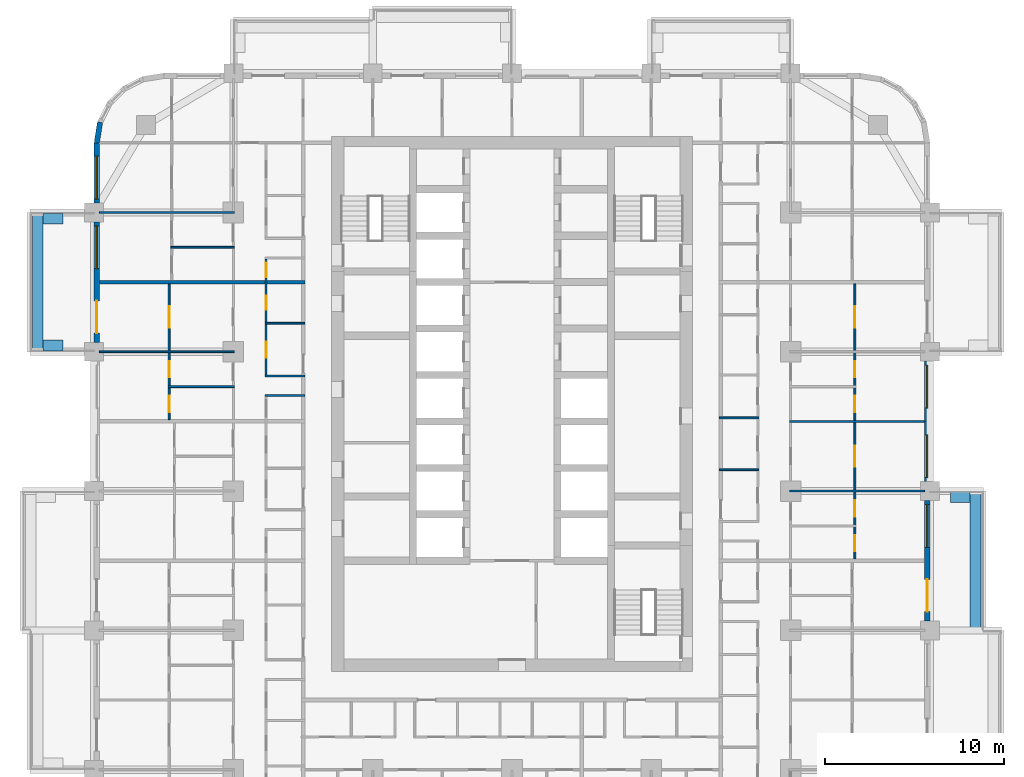
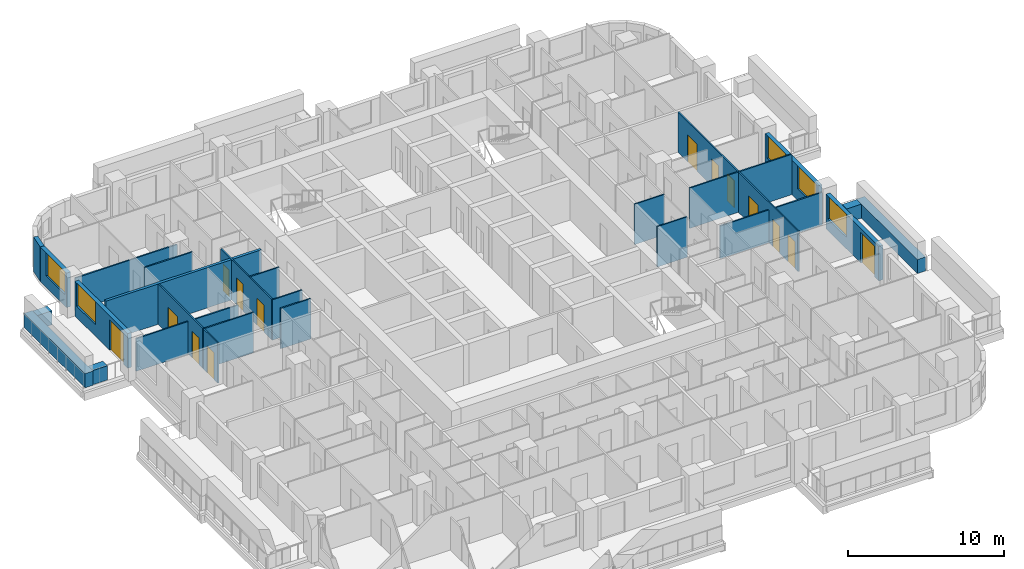
# One storey, part 9 of 17: 25 walls, 14 doors, 5 windows, 19 openings.
"""IFC4 building model written with IfcOpenShell, lengths in metres."""

from ifc_helpers import new_model, si_unit, direction, frame, frame_2d, origin, place, context, subcontext, project, spatial, rectangle, extrude, material, layer, layer_set, type_object, element, fill, save


model = new_model("IFC4")

# Units and contexts
model_context = context("Model", 3, precision=1e-05, world=origin(), true_north=direction((0.0, 1.0)))
body_context = subcontext(model_context, "Body", "Model", "MODEL_VIEW")
ifc_project = project(units=[si_unit("LENGTHUNIT", "METRE"), si_unit("AREAUNIT", "SQUARE_METRE"), si_unit("VOLUMEUNIT", "CUBIC_METRE"), si_unit("PLANEANGLEUNIT", "RADIAN"), si_unit("MASSUNIT", "GRAM", prefix="KILO")], contexts=[model_context])

# Site, building, storey
site_placement = place(None, origin())
site = spatial("IfcSite", under=ifc_project, at=site_placement, CompositionType="ELEMENT")
building_placement = place(site_placement, origin())
building = spatial("IfcBuilding", under=site, at=building_placement, Name="Ludao Terraces", CompositionType="ELEMENT")
storey_placement = place(building_placement, frame((0.0, 0.0, 22.89990234375)))
storey = spatial("IfcBuildingStorey", under=building, at=storey_placement, Name="L05", CompositionType="ELEMENT", Elevation=22.89990234375)

# Walls
ifc_material_1 = material(Name="Concrete C40", Category="concrete")
ifc_layer_1 = layer(ifc_material_1, 0.60009765625)
ifc_layer_set_1 = layer_set([ifc_layer_1], Name="ENV Planter trough 600")
wall_type_1 = type_object("IfcWallType", Name="ENV Planter trough 600", PredefinedType="USERDEFINED", material=ifc_layer_set_1)
wall_1_placement = place(storey_placement, frame((110.949951171875, 57.199951171875, 0.0), z_axis=(0.0, 0.0, 1.0), x_axis=(0.0, 1.0, 0.0)))
element("IfcWall", 1, at=wall_1_placement, inside=storey, type_object=wall_type_1, Name="PL-L05-E2", ObjectType="PLANTER", PredefinedType="USERDEFINED", context=body_context, shape_type="SweptSolid", body=[
    extrude(rectangle(XDim=7.800048828125, YDim=0.60009765625, at=frame_2d((3.89990234375, 0.0))), origin(), (0.0, 0.0, 1.0), 1.10009765625),
])
wall_2_placement = place(storey_placement, frame((110.64990234375, 64.64990234375, 0.0), z_axis=(0.0, 0.0, 1.0), x_axis=(-1.0, 0.0, 0.0)))
element("IfcWall", 2, at=wall_2_placement, inside=storey, type_object=wall_type_1, Name="PL-L05-E2-SB", ObjectType="PLANTER", PredefinedType="USERDEFINED", context=body_context, shape_type="SweptSolid", body=[
    extrude(rectangle(XDim=1.099853515625, YDim=0.60009765625, at=frame_2d((0.5498046875, 0.0))), origin(), (0.0, 0.0, 1.0), 1.10009765625),
])
wall_3_placement = place(storey_placement, frame((58.449951171875, 72.800048828125, 0.0), z_axis=(0.0, 0.0, 1.0), x_axis=(0.0, 1.0, 0.0)))
element("IfcWall", 3, at=wall_3_placement, inside=storey, type_object=wall_type_1, Name="PL-L05-W4", ObjectType="PLANTER", PredefinedType="USERDEFINED", context=body_context, shape_type="SweptSolid", body=[
    extrude(rectangle(XDim=7.800048828125, YDim=0.60009765625, at=frame_2d((3.89990234375, 0.0))), origin(), (0.0, 0.0, 1.0), 1.10009765625),
])
for number, where, z_axis, x_axis, name in (
    (4, (58.75, 73.14990234375, 0.0), (0.0, 0.0, 1.0), (1.0, 0.0, 0.0), "PL-L05-W4-SA"),
    (5, (58.75, 80.25, 0.0), (0.0, 0.0, 1.0), (1.0, 0.0, 0.0), "PL-L05-W4-SB"),
):
    element("IfcWall", number, at=place(storey_placement, frame(where, z_axis=z_axis, x_axis=x_axis)), inside=storey, type_object=wall_type_1, Name=name, ObjectType="PLANTER", PredefinedType="USERDEFINED", context=body_context, shape_type="SweptSolid", body=[
        extrude(rectangle(XDim=1.10009765625, YDim=0.60009765625, at=frame_2d((0.550048828125, 0.0))), origin(), (0.0, 0.0, 1.0), 1.10009765625),
    ])

# Wall, openings, door, window
ifc_material_2 = material(Name="Granite cladding", Category="masonry")
ifc_layer_2 = layer(ifc_material_2, 0.0400390625, Category="stone")
ifc_material_3 = material(Name="Mineral wool")
ifc_layer_3 = layer(ifc_material_3, 0.06005859375)
ifc_layer_4 = layer(ifc_material_1, 0.199951171875, Category="concrete")
ifc_layer_set_2 = layer_set([ifc_layer_2, ifc_layer_3, ifc_layer_4], Name="ENV Stone-clad wall 300")
wall_type_2 = type_object("IfcWallType", Name="ENV Stone-clad wall 300", PredefinedType="SOLIDWALL", material=ifc_layer_set_2)
wall_4_placement = place(storey_placement, frame((108.25, 57.72509765625, 0.0), z_axis=(0.0, 0.0, 1.0), x_axis=(0.0, 1.0, 0.0)))
wall_4 = element("IfcWall", 6, at=wall_4_placement, inside=storey, type_object=wall_type_2, Name="EW-L05-E3", PredefinedType="SOLIDWALL", context=body_context, shape_type="SweptSolid", body=[
    extrude(rectangle(XDim=6.75, YDim=0.300048828125, at=frame_2d((3.375, 0.0))), origin(), (0.0, 0.0, 1.0), 2.7001953125),
])
opening_1_placement = place(wall_4_placement, frame((0.52490234375, 0.0, 0.0)))
opening_1 = element("IfcOpeningElement", 7, at=opening_1_placement, cuts=wall_4, Name="Opening BD", PredefinedType="OPENING", context=body_context, shape_type="SweptSolid", body=[
    extrude(rectangle(XDim=1.800048828125, YDim=2.39990234375, at=frame_2d((0.89990234375, 1.199951171875))), frame((0.0, 0.16015625, 0.0), z_axis=(0.0, -1.0, 0.0), x_axis=(1.0, 0.0, 0.0)), (0.0, 0.0, 1.0), 0.320068359375),
])
opening_2_placement = place(wall_4_placement, frame((4.125, 0.0, 0.89990234375)))
opening_2 = element("IfcOpeningElement", 8, at=opening_2_placement, cuts=wall_4, Name="Opening W1", PredefinedType="OPENING", context=body_context, shape_type="SweptSolid", body=[
    extrude(rectangle(XDim=2.39990234375, YDim=1.800048828125, at=frame_2d((1.199951171875, 0.89990234375))), frame((0.0, 0.16015625, 0.0), z_axis=(0.0, -1.0, 0.0), x_axis=(1.0, 0.0, 0.0)), (0.0, 0.0, 1.0), 0.320068359375),
])
ifc_material_4 = material(Name="Aluminium glazed door", Category="aluminium")
ifc_layer_5 = layer(ifc_material_4, 0.06005859375)
ifc_layer_set_3 = layer_set([ifc_layer_5], Name="ENV Balcony door BD 1800x2400")
door_type_1 = type_object("IfcDoorType", Name="ENV Balcony door BD 1800x2400", OperationType="DOUBLE_DOOR_SINGLE_SWING", PredefinedType="DOOR", material=ifc_layer_set_3)
door_1_placement = place(opening_1_placement, origin())
door_1 = element("IfcDoor", 9, at=door_1_placement, inside=storey, type_object=door_type_1, Name="BD-L05-E3-1", OperationType="DOUBLE_DOOR_SINGLE_SWING", OverallHeight=2.39990234375, OverallWidth=1.800048828125, PredefinedType="DOOR", context=body_context, shape_type="SweptSolid", body=[
    extrude(rectangle(XDim=1.800048828125, YDim=2.39990234375, at=frame_2d((0.89990234375, 1.199951171875))), frame((0.0, 0.02490234375, 0.0), z_axis=(0.0, -1.0, 0.0), x_axis=(1.0, 0.0, 0.0)), (0.0, 0.0, 1.0), 0.050048828125),
])
fill(opening_1, door_1)
ifc_material_5 = material(Name="Clear glass in aluminium frame", Category="aluminium")
ifc_layer_6 = layer(ifc_material_5, 0.06005859375)
ifc_layer_set_4 = layer_set([ifc_layer_6], Name="ENV Window W1 2400x1800")
window_type = type_object("IfcWindowType", Name="ENV Window W1 2400x1800", PartitioningType="DOUBLE_PANEL_VERTICAL", PredefinedType="WINDOW", material=ifc_layer_set_4)
window_1_placement = place(opening_2_placement, origin())
window_1 = element("IfcWindow", 10, at=window_1_placement, inside=storey, type_object=window_type, Name="W-L05-E3-2", OverallHeight=1.800048828125, OverallWidth=2.39990234375, PartitioningType="DOUBLE_PANEL_VERTICAL", PredefinedType="WINDOW", context=body_context, shape_type="SweptSolid", body=[
    extrude(rectangle(XDim=2.39990234375, YDim=1.800048828125, at=frame_2d((1.199951171875, 0.89990234375))), frame((0.0, 0.030029296875, 0.0), z_axis=(0.0, -1.0, 0.0), x_axis=(1.0, 0.0, 0.0)), (0.0, 0.0, 1.0), 0.06005859375),
])
fill(opening_2, window_1)

# Wall, openings, windows
wall_5_placement = place(storey_placement, frame((108.25, 65.52490234375, 0.0), z_axis=(0.0, 0.0, 1.0), x_axis=(0.0, 1.0, 0.0)))
wall_5 = element("IfcWall", 11, at=wall_5_placement, inside=storey, type_object=wall_type_2, Name="EW-L05-E4", PredefinedType="SOLIDWALL", context=body_context, shape_type="SweptSolid", body=[
    extrude(rectangle(XDim=6.75, YDim=0.300048828125, at=frame_2d((3.375, 0.0))), origin(), (0.0, 0.0, 1.0), 2.7001953125),
])
opening_3_placement = place(wall_5_placement, frame((0.22509765625, 0.0, 0.89990234375)))
opening_3 = element("IfcOpeningElement", 12, at=opening_3_placement, cuts=wall_5, Name="Opening W1", PredefinedType="OPENING", context=body_context, shape_type="SweptSolid", body=[
    extrude(rectangle(XDim=2.39990234375, YDim=1.800048828125, at=frame_2d((1.199951171875, 0.89990234375))), frame((0.0, 0.16015625, 0.0), z_axis=(0.0, -1.0, 0.0), x_axis=(1.0, 0.0, 0.0)), (0.0, 0.0, 1.0), 0.320068359375),
])
opening_4_placement = place(wall_5_placement, frame((4.125, 0.0, 0.89990234375)))
opening_4 = element("IfcOpeningElement", 13, at=opening_4_placement, cuts=wall_5, Name="Opening W1", PredefinedType="OPENING", context=body_context, shape_type="SweptSolid", body=[
    extrude(rectangle(XDim=2.39990234375, YDim=1.800048828125, at=frame_2d((1.199951171875, 0.89990234375))), frame((0.0, 0.16015625, 0.0), z_axis=(0.0, -1.0, 0.0), x_axis=(1.0, 0.0, 0.0)), (0.0, 0.0, 1.0), 0.320068359375),
])
window_2_placement = place(opening_3_placement, origin())
window_2 = element("IfcWindow", 14, at=window_2_placement, inside=storey, type_object=window_type, Name="W-L05-E4-1", OverallHeight=1.800048828125, OverallWidth=2.39990234375, PartitioningType="DOUBLE_PANEL_VERTICAL", PredefinedType="WINDOW", context=body_context, shape_type="SweptSolid", body=[
    extrude(rectangle(XDim=2.39990234375, YDim=1.800048828125, at=frame_2d((1.199951171875, 0.89990234375))), frame((0.0, 0.030029296875, 0.0), z_axis=(0.0, -1.0, 0.0), x_axis=(1.0, 0.0, 0.0)), (0.0, 0.0, 1.0), 0.06005859375),
])
fill(opening_3, window_2)
window_3_placement = place(opening_4_placement, origin())
window_3 = element("IfcWindow", 15, at=window_3_placement, inside=storey, type_object=window_type, Name="W-L05-E4-2", OverallHeight=1.800048828125, OverallWidth=2.39990234375, PartitioningType="DOUBLE_PANEL_VERTICAL", PredefinedType="WINDOW", context=body_context, shape_type="SweptSolid", body=[
    extrude(rectangle(XDim=2.39990234375, YDim=1.800048828125, at=frame_2d((1.199951171875, 0.89990234375))), frame((0.0, 0.030029296875, 0.0), z_axis=(0.0, -1.0, 0.0), x_axis=(1.0, 0.0, 0.0)), (0.0, 0.0, 1.0), 0.06005859375),
])
fill(opening_4, window_3)

# Wall, openings, door, window
wall_6_placement = place(storey_placement, frame((61.75, 73.324951171875, 0.0), z_axis=(0.0, 0.0, 1.0), x_axis=(0.0, 1.0, 0.0)))
wall_6 = element("IfcWall", 16, at=wall_6_placement, inside=storey, type_object=wall_type_2, Name="EW-L05-W5", PredefinedType="SOLIDWALL", context=body_context, shape_type="SweptSolid", body=[
    extrude(rectangle(XDim=6.75, YDim=0.300048828125, at=frame_2d((3.375, 0.0))), origin(), (0.0, 0.0, 1.0), 2.7001953125),
])
opening_5_placement = place(wall_6_placement, frame((0.52490234375, 0.0, 0.0)))
opening_5 = element("IfcOpeningElement", 17, at=opening_5_placement, cuts=wall_6, Name="Opening BD", PredefinedType="OPENING", context=body_context, shape_type="SweptSolid", body=[
    extrude(rectangle(XDim=1.800048828125, YDim=2.39990234375, at=frame_2d((0.89990234375, 1.199951171875))), frame((0.0, 0.16015625, 0.0), z_axis=(0.0, -1.0, 0.0), x_axis=(1.0, 0.0, 0.0)), (0.0, 0.0, 1.0), 0.320068359375),
])
opening_6_placement = place(wall_6_placement, frame((4.125, 0.0, 0.89990234375)))
opening_6 = element("IfcOpeningElement", 18, at=opening_6_placement, cuts=wall_6, Name="Opening W1", PredefinedType="OPENING", context=body_context, shape_type="SweptSolid", body=[
    extrude(rectangle(XDim=2.39990234375, YDim=1.800048828125, at=frame_2d((1.199951171875, 0.89990234375))), frame((0.0, 0.16015625, 0.0), z_axis=(0.0, -1.0, 0.0), x_axis=(1.0, 0.0, 0.0)), (0.0, 0.0, 1.0), 0.320068359375),
])
door_2_placement = place(opening_5_placement, origin())
door_2 = element("IfcDoor", 19, at=door_2_placement, inside=storey, type_object=door_type_1, Name="BD-L05-W5-1", OperationType="DOUBLE_DOOR_SINGLE_SWING", OverallHeight=2.39990234375, OverallWidth=1.800048828125, PredefinedType="DOOR", context=body_context, shape_type="SweptSolid", body=[
    extrude(rectangle(XDim=1.800048828125, YDim=2.39990234375, at=frame_2d((0.89990234375, 1.199951171875))), frame((0.0, 0.02490234375, 0.0), z_axis=(0.0, -1.0, 0.0), x_axis=(1.0, 0.0, 0.0)), (0.0, 0.0, 1.0), 0.050048828125),
])
fill(opening_5, door_2)
window_4_placement = place(opening_6_placement, origin())
window_4 = element("IfcWindow", 20, at=window_4_placement, inside=storey, type_object=window_type, Name="W-L05-W5-2", OverallHeight=1.800048828125, OverallWidth=2.39990234375, PartitioningType="DOUBLE_PANEL_VERTICAL", PredefinedType="WINDOW", context=body_context, shape_type="SweptSolid", body=[
    extrude(rectangle(XDim=2.39990234375, YDim=1.800048828125, at=frame_2d((1.199951171875, 0.89990234375))), frame((0.0, 0.030029296875, 0.0), z_axis=(0.0, -1.0, 0.0), x_axis=(1.0, 0.0, 0.0)), (0.0, 0.0, 1.0), 0.06005859375),
])
fill(opening_6, window_4)

# Wall, opening, window
wall_7_placement = place(storey_placement, frame((61.75, 81.125, 0.0), z_axis=(0.0, 0.0, 1.0), x_axis=(0.0, 1.0, 0.0)))
wall_7 = element("IfcWall", 21, at=wall_7_placement, inside=storey, type_object=wall_type_2, Name="EW-L05-W6", PredefinedType="SOLIDWALL", context=body_context, shape_type="SweptSolid", body=[
    extrude(rectangle(XDim=3.375, YDim=0.300048828125, at=frame_2d((1.6875, 0.0))), origin(), (0.0, 0.0, 1.0), 2.7001953125),
])
opening_7_placement = place(wall_7_placement, frame((0.22509765625, 0.0, 0.89990234375)))
opening_7 = element("IfcOpeningElement", 22, at=opening_7_placement, cuts=wall_7, Name="Opening W1", PredefinedType="OPENING", context=body_context, shape_type="SweptSolid", body=[
    extrude(rectangle(XDim=2.39990234375, YDim=1.800048828125, at=frame_2d((1.199951171875, 0.89990234375))), frame((0.0, 0.16015625, 0.0), z_axis=(0.0, -1.0, 0.0), x_axis=(1.0, 0.0, 0.0)), (0.0, 0.0, 1.0), 0.320068359375),
])
window_5_placement = place(opening_7_placement, origin())
window_5 = element("IfcWindow", 23, at=window_5_placement, inside=storey, type_object=window_type, Name="W-L05-W6-1", OverallHeight=1.800048828125, OverallWidth=2.39990234375, PartitioningType="DOUBLE_PANEL_VERTICAL", PredefinedType="WINDOW", context=body_context, shape_type="SweptSolid", body=[
    extrude(rectangle(XDim=2.39990234375, YDim=1.800048828125, at=frame_2d((1.199951171875, 0.89990234375))), frame((0.0, 0.030029296875, 0.0), z_axis=(0.0, -1.0, 0.0), x_axis=(1.0, 0.0, 0.0)), (0.0, 0.0, 1.0), 0.06005859375),
])
fill(opening_7, window_5)

# Walls
wall_8_placement = place(storey_placement, frame((61.93359375, 85.65869140625, 0.0), z_axis=(0.0, 0.0, 1.0), x_axis=(-0.156496880861, -0.987678452879, 0.0)))
element("IfcWall", 24, at=wall_8_placement, inside=storey, type_object=wall_type_2, Name="EW-L05-NW5", PredefinedType="SOLIDWALL", context=body_context, shape_type="SweptSolid", body=[
    extrude(rectangle(XDim=1.173095703125, YDim=0.300048828125, at=frame_2d((0.58642578125, 0.0))), origin(), (0.0, 0.0, 1.0), 2.7001953125),
])
ifc_material_6 = material(Name="Gypsum plasterboard", Category="gypsum")
ifc_layer_7 = layer(ifc_material_6, 0.012451171875, Category="gypsum")
ifc_layer_8 = layer(ifc_material_3, 0.06005859375, Name="insulation")
ifc_material_7 = material(Name="Steel Q235", Category="steel")
ifc_layer_9 = layer(ifc_material_7, 0.014892578125, Name="stud")
ifc_layer_10 = layer(ifc_material_6, 0.012451171875, Category="gypsum")
ifc_layer_set_5 = layer_set([ifc_layer_7, ifc_layer_8, ifc_layer_9, ifc_layer_10], Name="INT Partition 100")
wall_type_3 = type_object("IfcWallType", Name="INT Partition 100", PredefinedType="PARTITIONING", material=ifc_layer_set_5)
wall_9_placement = place(storey_placement, frame((100.550048828125, 65.0, 0.0), z_axis=(0.0, 0.0, 1.0), x_axis=(1.0, 0.0, 0.0)))
element("IfcWall", 25, at=wall_9_placement, inside=storey, type_object=wall_type_3, Name="PW-L05-PW040", PredefinedType="PARTITIONING", context=body_context, shape_type="SweptSolid", body=[
    extrude(rectangle(XDim=7.550048828125, YDim=0.10009765625, at=frame_2d((3.77490234375, 0.0))), origin(), (0.0, 0.0, 1.0), 2.550048828125),
])
wall_10_placement = place(storey_placement, frame((96.60009765625, 66.199951171875, 0.0), z_axis=(0.0, 0.0, 1.0), x_axis=(1.0, 0.0, 0.0)))
element("IfcWall", 26, at=wall_10_placement, inside=storey, type_object=wall_type_3, Name="PW-L05-PW041", PredefinedType="PARTITIONING", context=body_context, shape_type="SweptSolid", body=[
    extrude(rectangle(XDim=2.219970703125, YDim=0.10009765625, at=frame_2d((1.10986328125, 0.0))), origin(), (0.0, 0.0, 1.0), 3.150146484375),
])
wall_11_placement = place(storey_placement, frame((100.550048828125, 68.89990234375, 0.0), z_axis=(0.0, 0.0, 1.0), x_axis=(1.0, 0.0, 0.0)))
element("IfcWall", 27, at=wall_11_placement, inside=storey, type_object=wall_type_3, Name="PW-L05-PW046", PredefinedType="PARTITIONING", context=body_context, shape_type="SweptSolid", body=[
    extrude(rectangle(XDim=7.550048828125, YDim=0.10009765625, at=frame_2d((3.77490234375, 0.0))), origin(), (0.0, 0.0, 1.0), 3.150146484375),
])
for number, where, z_axis, x_axis, name in (
    (28, (96.60009765625, 69.10009765625, 0.0), (0.0, 0.0, 1.0), (1.0, 0.0, 0.0), "PW-L05-PW047"),
    (29, (71.18017578125, 70.35009765625, 0.0), (0.0, 0.0, 1.0), (1.0, 0.0, 0.0), "PW-L05-PW048"),
):
    element("IfcWall", number, at=place(storey_placement, frame(where, z_axis=z_axis, x_axis=x_axis)), inside=storey, type_object=wall_type_3, Name=name, PredefinedType="PARTITIONING", context=body_context, shape_type="SweptSolid", body=[
        extrude(rectangle(XDim=2.219970703125, YDim=0.10009765625, at=frame_2d((1.10986328125, 0.0))), origin(), (0.0, 0.0, 1.0), 3.150146484375),
    ])
wall_12_placement = place(storey_placement, frame((65.75, 70.85009765625, 0.0), z_axis=(0.0, 0.0, 1.0), x_axis=(1.0, 0.0, 0.0)))
element("IfcWall", 30, at=wall_12_placement, inside=storey, type_object=wall_type_3, Name="PW-L05-PW049", PredefinedType="PARTITIONING", context=body_context, shape_type="SweptSolid", body=[
    extrude(rectangle(XDim=3.7001953125, YDim=0.10009765625, at=frame_2d((1.85009765625, 0.0))), origin(), (0.0, 0.0, 1.0), 3.150146484375),
])
wall_13_placement = place(storey_placement, frame((71.18017578125, 71.449951171875, 0.0), z_axis=(0.0, 0.0, 1.0), x_axis=(1.0, 0.0, 0.0)))
element("IfcWall", 31, at=wall_13_placement, inside=storey, type_object=wall_type_3, Name="PW-L05-PW051", PredefinedType="PARTITIONING", context=body_context, shape_type="SweptSolid", body=[
    extrude(rectangle(XDim=2.219970703125, YDim=0.10009765625, at=frame_2d((1.10986328125, 0.0))), origin(), (0.0, 0.0, 1.0), 3.150146484375),
])
wall_14_placement = place(storey_placement, frame((61.900146484375, 72.800048828125, 0.0), z_axis=(0.0, 0.0, 1.0), x_axis=(1.0, 0.0, 0.0)))
element("IfcWall", 32, at=wall_14_placement, inside=storey, type_object=wall_type_3, Name="PW-L05-PW053", PredefinedType="PARTITIONING", context=body_context, shape_type="SweptSolid", body=[
    extrude(rectangle(XDim=7.550048828125, YDim=0.10009765625, at=frame_2d((3.77490234375, 0.0))), origin(), (0.0, 0.0, 1.0), 2.550048828125),
])
wall_15_placement = place(storey_placement, frame((71.18017578125, 74.39990234375, 0.0), z_axis=(0.0, 0.0, 1.0), x_axis=(1.0, 0.0, 0.0)))
element("IfcWall", 33, at=wall_15_placement, inside=storey, type_object=wall_type_3, Name="PW-L05-PW055", PredefinedType="PARTITIONING", context=body_context, shape_type="SweptSolid", body=[
    extrude(rectangle(XDim=2.219970703125, YDim=0.10009765625, at=frame_2d((1.10986328125, 0.0))), origin(), (0.0, 0.0, 1.0), 3.150146484375),
])
wall_16_placement = place(storey_placement, frame((65.900146484375, 78.64990234375, 0.0), z_axis=(0.0, 0.0, 1.0), x_axis=(1.0, 0.0, 0.0)))
element("IfcWall", 34, at=wall_16_placement, inside=storey, type_object=wall_type_3, Name="PW-L05-PW061", PredefinedType="PARTITIONING", context=body_context, shape_type="SweptSolid", body=[
    extrude(rectangle(XDim=3.550048828125, YDim=0.10009765625, at=frame_2d((1.77490234375, 0.0))), origin(), (0.0, 0.0, 1.0), 3.150146484375),
])
wall_17_placement = place(storey_placement, frame((61.900146484375, 80.60009765625, 0.0), z_axis=(0.0, 0.0, 1.0), x_axis=(1.0, 0.0, 0.0)))
element("IfcWall", 35, at=wall_17_placement, inside=storey, type_object=wall_type_3, Name="PW-L05-PW064", PredefinedType="PARTITIONING", context=body_context, shape_type="SweptSolid", body=[
    extrude(rectangle(XDim=7.550048828125, YDim=0.10009765625, at=frame_2d((3.77490234375, 0.0))), origin(), (0.0, 0.0, 1.0), 2.550048828125),
])

# Wall, openings, doors
wall_18_placement = place(storey_placement, frame((65.800048828125, 69.0, 0.0), z_axis=(0.0, 0.0, 1.0), x_axis=(0.0, 1.0, 0.0)))
wall_18 = element("IfcWall", 36, at=wall_18_placement, inside=storey, type_object=wall_type_3, Name="PW-L05-PW074", PredefinedType="PARTITIONING", context=body_context, shape_type="SweptSolid", body=[
    extrude(rectangle(XDim=7.60009765625, YDim=0.10009765625, at=frame_2d((3.800048828125, 0.0))), origin(), (0.0, 0.0, 1.0), 3.150146484375),
])
opening_8_placement = place(wall_18_placement, frame((0.425048828125, 0.0, 0.0)))
opening_8 = element("IfcOpeningElement", 37, at=opening_8_placement, cuts=wall_18, Name="Opening R01-097", PredefinedType="OPENING", context=body_context, shape_type="SweptSolid", body=[
    extrude(rectangle(XDim=0.89990234375, YDim=2.10009765625, at=frame_2d((0.449951171875, 1.050048828125))), frame((0.0, 0.06005859375, 0.0), z_axis=(0.0, -1.0, 0.0), x_axis=(1.0, 0.0, 0.0)), (0.0, 0.0, 1.0), 0.1201171875),
])
opening_9_placement = place(wall_18_placement, frame((2.375, 0.0, 0.0)))
opening_9 = element("IfcOpeningElement", 38, at=opening_9_placement, cuts=wall_18, Name="Opening R01-104", PredefinedType="OPENING", context=body_context, shape_type="SweptSolid", body=[
    extrude(rectangle(XDim=0.89990234375, YDim=2.10009765625, at=frame_2d((0.449951171875, 1.050048828125))), frame((0.0, 0.06005859375, 0.0), z_axis=(0.0, -1.0, 0.0), x_axis=(1.0, 0.0, 0.0)), (0.0, 0.0, 1.0), 0.1201171875),
])
opening_10_placement = place(wall_18_placement, frame((5.150146484375, 0.0, 0.0)))
opening_10 = element("IfcOpeningElement", 39, at=opening_10_placement, cuts=wall_18, Name="Opening R01-111", PredefinedType="OPENING", context=body_context, shape_type="SweptSolid", body=[
    extrude(rectangle(XDim=1.199951171875, YDim=2.10009765625, at=frame_2d((0.60009765625, 1.050048828125))), frame((0.0, 0.06005859375, 0.0), z_axis=(0.0, -1.0, 0.0), x_axis=(1.0, 0.0, 0.0)), (0.0, 0.0, 1.0), 0.1201171875),
])
ifc_material_8 = material(Name="Timber door leaf", Category="wood")
door_type_2 = type_object("IfcDoorType", Name="INT Bathroom door 900", OperationType="SINGLE_SWING_LEFT", PredefinedType="DOOR", material=ifc_material_8)
door_3_placement = place(opening_8_placement, origin())
door_3 = element("IfcDoor", 40, at=door_3_placement, inside=storey, type_object=door_type_2, Name="DOOR 097", OperationType="SINGLE_SWING_RIGHT", OverallHeight=2.10009765625, OverallWidth=0.89990234375, PredefinedType="DOOR", context=body_context, shape_type="SweptSolid", body=[
    extrude(rectangle(XDim=0.89990234375, YDim=2.10009765625, at=frame_2d((0.449951171875, 1.050048828125))), frame((0.0, 0.02490234375, 0.0), z_axis=(0.0, -1.0, 0.0), x_axis=(1.0, 0.0, 0.0)), (0.0, 0.0, 1.0), 0.050048828125),
])
fill(opening_8, door_3)
door_type_3 = type_object("IfcDoorType", Name="INT Double door 1200", OperationType="DOUBLE_DOOR_SINGLE_SWING", PredefinedType="DOOR", material=ifc_material_8)
door_4_placement = place(opening_10_placement, origin())
door_4 = element("IfcDoor", 41, at=door_4_placement, inside=storey, type_object=door_type_3, Name="DOOR 111", OperationType="DOUBLE_DOOR_SINGLE_SWING", OverallHeight=2.10009765625, OverallWidth=1.199951171875, PredefinedType="DOOR", context=body_context, shape_type="SweptSolid", body=[
    extrude(rectangle(XDim=1.199951171875, YDim=2.10009765625, at=frame_2d((0.60009765625, 1.050048828125))), frame((0.0, 0.02490234375, 0.0), z_axis=(0.0, -1.0, 0.0), x_axis=(1.0, 0.0, 0.0)), (0.0, 0.0, 1.0), 0.050048828125),
])
fill(opening_10, door_4)
door_type_4 = type_object("IfcDoorType", Name="INT Room door 900", OperationType="SINGLE_SWING_LEFT", PredefinedType="DOOR", material=ifc_material_8)
door_5_placement = place(opening_9_placement, origin())
door_5 = element("IfcDoor", 42, at=door_5_placement, inside=storey, type_object=door_type_4, Name="DOOR 104", OperationType="SINGLE_SWING_LEFT", OverallHeight=2.10009765625, OverallWidth=0.89990234375, PredefinedType="DOOR", context=body_context, shape_type="SweptSolid", body=[
    extrude(rectangle(XDim=0.89990234375, YDim=2.10009765625, at=frame_2d((0.449951171875, 1.050048828125))), frame((0.0, 0.02490234375, 0.0), z_axis=(0.0, -1.0, 0.0), x_axis=(1.0, 0.0, 0.0)), (0.0, 0.0, 1.0), 0.050048828125),
])
fill(opening_9, door_5)

wall_19_placement = place(storey_placement, frame((71.22998046875, 71.5, 0.0), z_axis=(0.0, 0.0, 1.0), x_axis=(0.0, 1.0, 0.0)))
wall_19 = element("IfcWall", 43, at=wall_19_placement, inside=storey, type_object=wall_type_3, Name="PW-L05-PW081", PredefinedType="PARTITIONING", context=body_context, shape_type="SweptSolid", body=[
    extrude(rectangle(XDim=6.5, YDim=0.10009765625, at=frame_2d((3.25, 0.0))), origin(), (0.0, 0.0, 1.0), 3.150146484375),
])
opening_11_placement = place(wall_19_placement, frame((0.97509765625, 0.0, 0.0)))
opening_11 = element("IfcOpeningElement", 44, at=opening_11_placement, cuts=wall_19, Name="Opening R01-109", PredefinedType="OPENING", context=body_context, shape_type="SweptSolid", body=[
    extrude(rectangle(XDim=0.89990234375, YDim=2.10009765625, at=frame_2d((0.449951171875, 1.050048828125))), frame((0.0, 0.06005859375, 0.0), z_axis=(0.0, -1.0, 0.0), x_axis=(1.0, 0.0, 0.0)), (0.0, 0.0, 1.0), 0.1201171875),
])
opening_12_placement = place(wall_19_placement, frame((3.650146484375, 0.0, 0.0)))
opening_12 = element("IfcOpeningElement", 45, at=opening_12_placement, cuts=wall_19, Name="Opening R01-119", PredefinedType="OPENING", context=body_context, shape_type="SweptSolid", body=[
    extrude(rectangle(XDim=0.800048828125, YDim=2.10009765625, at=frame_2d((0.39990234375, 1.050048828125))), frame((0.0, 0.06005859375, 0.0), z_axis=(0.0, -1.0, 0.0), x_axis=(1.0, 0.0, 0.0)), (0.0, 0.0, 1.0), 0.1201171875),
])
opening_13_placement = place(wall_19_placement, frame((5.47509765625, 0.0, 0.0)))
opening_13 = element("IfcOpeningElement", 46, at=opening_13_placement, cuts=wall_19, Name="Opening R01-122", PredefinedType="OPENING", context=body_context, shape_type="SweptSolid", body=[
    extrude(rectangle(XDim=0.800048828125, YDim=2.10009765625, at=frame_2d((0.39990234375, 1.050048828125))), frame((0.0, 0.06005859375, 0.0), z_axis=(0.0, -1.0, 0.0), x_axis=(1.0, 0.0, 0.0)), (0.0, 0.0, 1.0), 0.1201171875),
])
door_6_placement = place(opening_11_placement, origin())
door_6 = element("IfcDoor", 47, at=door_6_placement, inside=storey, type_object=door_type_4, Name="DOOR 109", OperationType="SINGLE_SWING_LEFT", OverallHeight=2.10009765625, OverallWidth=0.89990234375, PredefinedType="DOOR", context=body_context, shape_type="SweptSolid", body=[
    extrude(rectangle(XDim=0.89990234375, YDim=2.10009765625, at=frame_2d((0.449951171875, 1.050048828125))), frame((0.0, 0.02490234375, 0.0), z_axis=(0.0, -1.0, 0.0), x_axis=(1.0, 0.0, 0.0)), (0.0, 0.0, 1.0), 0.050048828125),
])
fill(opening_11, door_6)
door_type_5 = type_object("IfcDoorType", Name="INT Store door 800", OperationType="SINGLE_SWING_LEFT", PredefinedType="DOOR", material=ifc_material_8)
door_7_placement = place(opening_12_placement, origin())
door_7 = element("IfcDoor", 48, at=door_7_placement, inside=storey, type_object=door_type_5, Name="DOOR 119", OperationType="SINGLE_SWING_LEFT", OverallHeight=2.10009765625, OverallWidth=0.800048828125, PredefinedType="DOOR", context=body_context, shape_type="SweptSolid", body=[
    extrude(rectangle(XDim=0.800048828125, YDim=2.10009765625, at=frame_2d((0.39990234375, 1.050048828125))), frame((0.0, 0.02490234375, 0.0), z_axis=(0.0, -1.0, 0.0), x_axis=(1.0, 0.0, 0.0)), (0.0, 0.0, 1.0), 0.050048828125),
])
fill(opening_12, door_7)
door_8_placement = place(opening_13_placement, origin())
door_8 = element("IfcDoor", 49, at=door_8_placement, inside=storey, type_object=door_type_5, Name="DOOR 122", OperationType="SINGLE_SWING_RIGHT", OverallHeight=2.10009765625, OverallWidth=0.800048828125, PredefinedType="DOOR", context=body_context, shape_type="SweptSolid", body=[
    extrude(rectangle(XDim=0.800048828125, YDim=2.10009765625, at=frame_2d((0.39990234375, 1.050048828125))), frame((0.0, 0.02490234375, 0.0), z_axis=(0.0, -1.0, 0.0), x_axis=(1.0, 0.0, 0.0)), (0.0, 0.0, 1.0), 0.050048828125),
])
fill(opening_13, door_8)

wall_20_placement = place(storey_placement, frame((104.199951171875, 61.2001953125, 0.0), z_axis=(0.0, 0.0, 1.0), x_axis=(0.0, 1.0, 0.0)))
wall_20 = element("IfcWall", 50, at=wall_20_placement, inside=storey, type_object=wall_type_3, Name="PW-L05-PW119", PredefinedType="PARTITIONING", context=body_context, shape_type="SweptSolid", body=[
    extrude(rectangle(XDim=15.39990234375, YDim=0.10009765625, at=frame_2d((7.699951171875, 0.0))), origin(), (0.0, 0.0, 1.0), 3.150146484375),
])
opening_14_placement = place(wall_20_placement, frame((0.4248046875, 0.0, 0.0)))
opening_14 = element("IfcOpeningElement", 51, at=opening_14_placement, cuts=wall_20, Name="Opening R01-073", PredefinedType="OPENING", context=body_context, shape_type="SweptSolid", body=[
    extrude(rectangle(XDim=0.89990234375, YDim=2.10009765625, at=frame_2d((0.449951171875, 1.050048828125))), frame((0.0, 0.06005859375, 0.0), z_axis=(0.0, -1.0, 0.0), x_axis=(1.0, 0.0, 0.0)), (0.0, 0.0, 1.0), 0.1201171875),
])
opening_15_placement = place(wall_20_placement, frame((2.375, 0.0, 0.0)))
opening_15 = element("IfcOpeningElement", 52, at=opening_15_placement, cuts=wall_20, Name="Opening R01-081", PredefinedType="OPENING", context=body_context, shape_type="SweptSolid", body=[
    extrude(rectangle(XDim=0.89990234375, YDim=2.10009765625, at=frame_2d((0.449951171875, 1.050048828125))), frame((0.0, 0.06005859375, 0.0), z_axis=(0.0, -1.0, 0.0), x_axis=(1.0, 0.0, 0.0)), (0.0, 0.0, 1.0), 0.1201171875),
])
opening_16_placement = place(wall_20_placement, frame((5.14990234375, 0.0, 0.0)))
opening_16 = element("IfcOpeningElement", 53, at=opening_16_placement, cuts=wall_20, Name="Opening R01-089", PredefinedType="OPENING", context=body_context, shape_type="SweptSolid", body=[
    extrude(rectangle(XDim=1.199951171875, YDim=2.10009765625, at=frame_2d((0.60009765625, 1.050048828125))), frame((0.0, 0.06005859375, 0.0), z_axis=(0.0, -1.0, 0.0), x_axis=(1.0, 0.0, 0.0)), (0.0, 0.0, 1.0), 0.1201171875),
])
opening_17_placement = place(wall_20_placement, frame((8.224853515625, 0.0, 0.0)))
opening_17 = element("IfcOpeningElement", 54, at=opening_17_placement, cuts=wall_20, Name="Opening R01-098", PredefinedType="OPENING", context=body_context, shape_type="SweptSolid", body=[
    extrude(rectangle(XDim=0.89990234375, YDim=2.10009765625, at=frame_2d((0.449951171875, 1.050048828125))), frame((0.0, 0.06005859375, 0.0), z_axis=(0.0, -1.0, 0.0), x_axis=(1.0, 0.0, 0.0)), (0.0, 0.0, 1.0), 0.1201171875),
])
opening_18_placement = place(wall_20_placement, frame((10.1748046875, 0.0, 0.0)))
opening_18 = element("IfcOpeningElement", 55, at=opening_18_placement, cuts=wall_20, Name="Opening R01-105", PredefinedType="OPENING", context=body_context, shape_type="SweptSolid", body=[
    extrude(rectangle(XDim=0.89990234375, YDim=2.10009765625, at=frame_2d((0.449951171875, 1.050048828125))), frame((0.0, 0.06005859375, 0.0), z_axis=(0.0, -1.0, 0.0), x_axis=(1.0, 0.0, 0.0)), (0.0, 0.0, 1.0), 0.1201171875),
])
opening_19_placement = place(wall_20_placement, frame((12.949951171875, 0.0, 0.0)))
opening_19 = element("IfcOpeningElement", 56, at=opening_19_placement, cuts=wall_20, Name="Opening R01-114", PredefinedType="OPENING", context=body_context, shape_type="SweptSolid", body=[
    extrude(rectangle(XDim=1.199951171875, YDim=2.10009765625, at=frame_2d((0.60009765625, 1.050048828125))), frame((0.0, 0.06005859375, 0.0), z_axis=(0.0, -1.0, 0.0), x_axis=(1.0, 0.0, 0.0)), (0.0, 0.0, 1.0), 0.1201171875),
])
door_9_placement = place(opening_14_placement, origin())
door_9 = element("IfcDoor", 57, at=door_9_placement, inside=storey, type_object=door_type_2, Name="DOOR 073", OperationType="SINGLE_SWING_LEFT", OverallHeight=2.10009765625, OverallWidth=0.89990234375, PredefinedType="DOOR", context=body_context, shape_type="SweptSolid", body=[
    extrude(rectangle(XDim=0.89990234375, YDim=2.10009765625, at=frame_2d((0.449951171875, 1.050048828125))), frame((0.0, 0.02490234375, 0.0), z_axis=(0.0, -1.0, 0.0), x_axis=(1.0, 0.0, 0.0)), (0.0, 0.0, 1.0), 0.050048828125),
])
fill(opening_14, door_9)
door_10_placement = place(opening_17_placement, origin())
door_10 = element("IfcDoor", 58, at=door_10_placement, inside=storey, type_object=door_type_2, Name="DOOR 098", OperationType="SINGLE_SWING_LEFT", OverallHeight=2.10009765625, OverallWidth=0.89990234375, PredefinedType="DOOR", context=body_context, shape_type="SweptSolid", body=[
    extrude(rectangle(XDim=0.89990234375, YDim=2.10009765625, at=frame_2d((0.449951171875, 1.050048828125))), frame((0.0, 0.02490234375, 0.0), z_axis=(0.0, -1.0, 0.0), x_axis=(1.0, 0.0, 0.0)), (0.0, 0.0, 1.0), 0.050048828125),
])
fill(opening_17, door_10)
door_11_placement = place(opening_16_placement, origin())
door_11 = element("IfcDoor", 59, at=door_11_placement, inside=storey, type_object=door_type_3, Name="DOOR 089", OperationType="DOUBLE_DOOR_SINGLE_SWING", OverallHeight=2.10009765625, OverallWidth=1.199951171875, PredefinedType="DOOR", context=body_context, shape_type="SweptSolid", body=[
    extrude(rectangle(XDim=1.199951171875, YDim=2.10009765625, at=frame_2d((0.60009765625, 1.050048828125))), frame((0.0, 0.02490234375, 0.0), z_axis=(0.0, -1.0, 0.0), x_axis=(1.0, 0.0, 0.0)), (0.0, 0.0, 1.0), 0.050048828125),
])
fill(opening_16, door_11)
door_12_placement = place(opening_19_placement, origin())
door_12 = element("IfcDoor", 60, at=door_12_placement, inside=storey, type_object=door_type_3, Name="DOOR 114", OperationType="DOUBLE_DOOR_SINGLE_SWING", OverallHeight=2.10009765625, OverallWidth=1.199951171875, PredefinedType="DOOR", context=body_context, shape_type="SweptSolid", body=[
    extrude(rectangle(XDim=1.199951171875, YDim=2.10009765625, at=frame_2d((0.60009765625, 1.050048828125))), frame((0.0, 0.02490234375, 0.0), z_axis=(0.0, -1.0, 0.0), x_axis=(1.0, 0.0, 0.0)), (0.0, 0.0, 1.0), 0.050048828125),
])
fill(opening_19, door_12)
door_13_placement = place(opening_15_placement, origin())
door_13 = element("IfcDoor", 61, at=door_13_placement, inside=storey, type_object=door_type_4, Name="DOOR 081", OperationType="SINGLE_SWING_LEFT", OverallHeight=2.10009765625, OverallWidth=0.89990234375, PredefinedType="DOOR", context=body_context, shape_type="SweptSolid", body=[
    extrude(rectangle(XDim=0.89990234375, YDim=2.10009765625, at=frame_2d((0.449951171875, 1.050048828125))), frame((0.0, 0.02490234375, 0.0), z_axis=(0.0, -1.0, 0.0), x_axis=(1.0, 0.0, 0.0)), (0.0, 0.0, 1.0), 0.050048828125),
])
fill(opening_15, door_13)
door_14_placement = place(opening_18_placement, origin())
door_14 = element("IfcDoor", 62, at=door_14_placement, inside=storey, type_object=door_type_4, Name="DOOR 105", OperationType="SINGLE_SWING_RIGHT", OverallHeight=2.10009765625, OverallWidth=0.89990234375, PredefinedType="DOOR", context=body_context, shape_type="SweptSolid", body=[
    extrude(rectangle(XDim=0.89990234375, YDim=2.10009765625, at=frame_2d((0.449951171875, 1.050048828125))), frame((0.0, 0.02490234375, 0.0), z_axis=(0.0, -1.0, 0.0), x_axis=(1.0, 0.0, 0.0)), (0.0, 0.0, 1.0), 0.050048828125),
])
fill(opening_18, door_14)

# Wall
ifc_material_9 = material(Name="Autoclaved aerated concrete block B06 A3.5", Category="concrete")
ifc_layer_11 = layer(ifc_material_9, 0.199951171875)
ifc_layer_set_6 = layer_set([ifc_layer_11], Name="INT Party wall 200")
wall_type_4 = type_object("IfcWallType", Name="INT Party wall 200", PredefinedType="PARTITIONING", material=ifc_layer_set_6)
wall_21_placement = place(storey_placement, frame((61.900146484375, 76.699951171875, 0.0), z_axis=(0.0, 0.0, 1.0), x_axis=(1.0, 0.0, 0.0)))
element("IfcWall", 63, at=wall_21_placement, inside=storey, type_object=wall_type_4, Name="PW-L05-PW057", PredefinedType="PARTITIONING", context=body_context, shape_type="SweptSolid", body=[
    extrude(rectangle(XDim=11.5, YDim=0.199951171875, at=frame_2d((5.75, 0.0))), origin(), (0.0, 0.0, 1.0), 3.150146484375),
])

save(model, "model.ifc")
